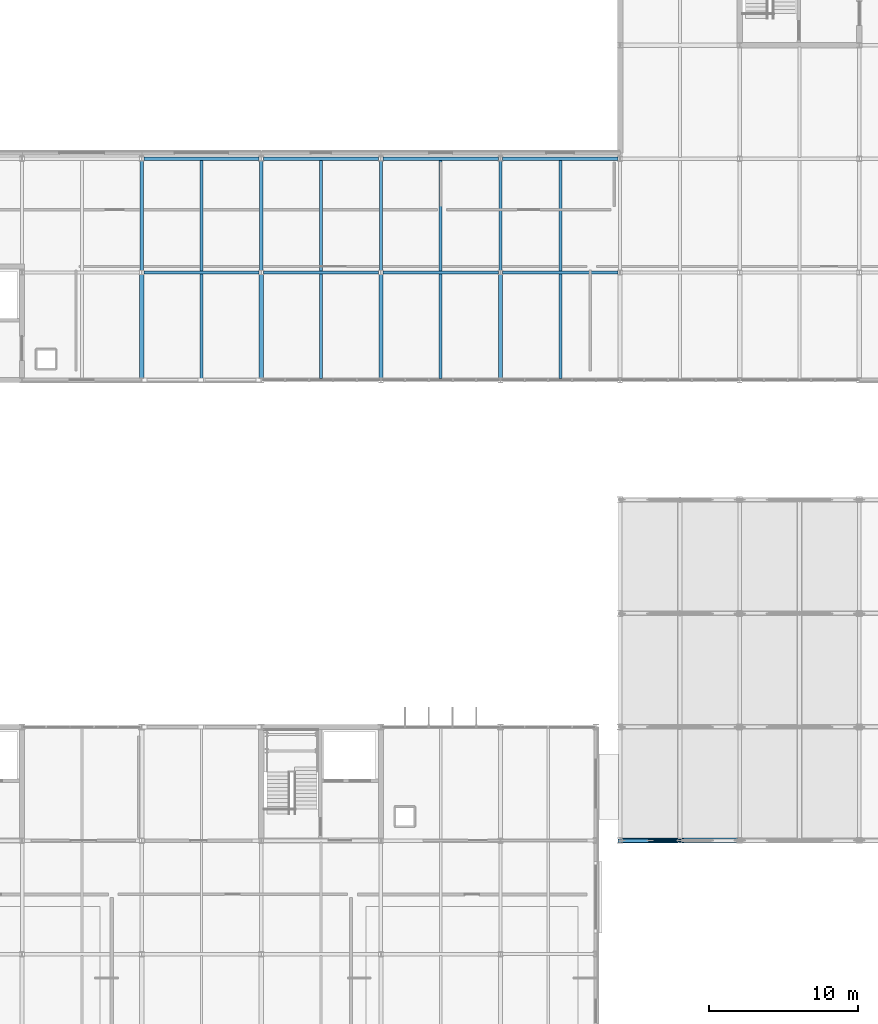
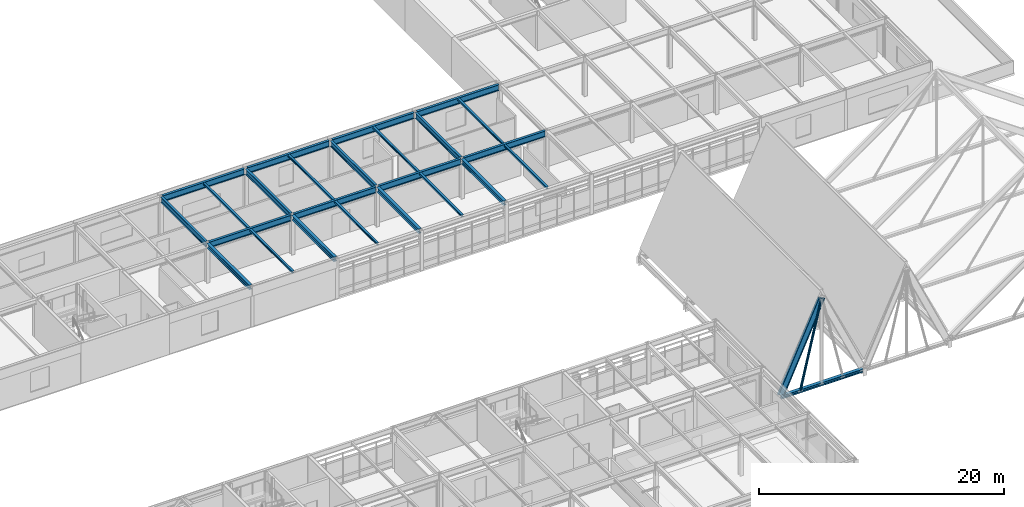
# One storey, part 35 of 85: 25 beams, 2 members.
"""IFC4 building model written with IfcOpenShell, lengths in metres."""

from ifc_helpers import new_model, si_unit, direction, frame, origin, origin_2d, place, context, subcontext, project, spatial, hollow_circle, i_section, extrude, material, material_profile, profile_set, type_object, element, save


model = new_model("IFC4")

# Units and contexts
model_context = context("Model", 3, precision=1e-05, world=origin(), true_north=direction((0.0, 1.0)))
body_context = subcontext(model_context, "Body", "Model", "MODEL_VIEW")
ifc_project = project(units=[si_unit("LENGTHUNIT", "METRE"), si_unit("AREAUNIT", "SQUARE_METRE"), si_unit("VOLUMEUNIT", "CUBIC_METRE"), si_unit("PLANEANGLEUNIT", "RADIAN"), si_unit("MASSUNIT", "GRAM", prefix="KILO")], contexts=[model_context])

# Site, building, storey
site_placement = place(None, origin())
site = spatial("IfcSite", under=ifc_project, at=site_placement, CompositionType="ELEMENT")
building_placement = place(site_placement, origin())
building = spatial("IfcBuilding", under=site, at=building_placement, Name="Zulena Civic Courthouse", CompositionType="ELEMENT")
storey_placement = place(building_placement, frame((0.0, 0.0, 25.199951171875)))
storey = spatial("IfcBuildingStorey", under=building, at=storey_placement, Name="L05", CompositionType="ELEMENT", Elevation=25.199951171875)

# Member
ifc_material_1 = material(Name="Steel ASTM A992 Grade 50", Category="steel")
ifc_material_profile_1 = material_profile(ifc_material_1, i_section(OverallWidth=0.30908203125, OverallDepth=0.322998046875, WebThickness=0.013916015625, FlangeThickness=0.02294921875, FilletRadius=0.01513671875, at=origin_2d()), Name="W12X96")
ifc_profile_set_1 = profile_set([ifc_material_profile_1], Name="Steel ASTM A992 Grade 50")
member_type_1 = type_object("IfcMemberType", Name="Chord_W12X96", PredefinedType="CHORD", material=ifc_profile_set_1)
member_1_placement = place(storey_placement, frame((68.139892578125, 15.199951171875, 0.343017578125), z_axis=(1.0, 0.0, 0.0), x_axis=(0.0, 1.0, 0.0)))
element("IfcMember", 1, at=member_1_placement, inside=storey, type_object=member_type_1, Name="mem:fold:tie:01:15.2", PredefinedType="CHORD", context=body_context, shape_type="SweptSolid", body=[
    extrude(i_section(OverallWidth=0.30908203125, OverallDepth=0.322998046875, WebThickness=0.013916015625, FlangeThickness=0.02294921875, FilletRadius=0.01513671875, at=origin_2d()), origin(), (0.0, 0.0, 1.0), 7.72021484375),
])

# Beams
ifc_material_profile_2 = material_profile(ifc_material_1, i_section(OverallWidth=0.214111328125, OverallDepth=0.549072265625, WebThickness=0.0146484375, FlangeThickness=0.023681640625, FilletRadius=0.0126953125, at=origin_2d()), Name="W21X93")
ifc_profile_set_2 = profile_set([ifc_material_profile_2], Name="Steel ASTM A992 Grade 50")
beam_type_1 = type_object("IfcBeamType", Name="Girder_W21X93", PredefinedType="BEAM", material=ifc_profile_set_2)
for number, where, z_axis, x_axis, name in (
    (2, (36.0, 53.344970703125, 3.720458984375), (0.0, 1.0, 0.0), (-1.0, 0.0, 0.0), "beam:Y:V5:L05:36.0:53.2_60.8"),
    (3, (44.0, 53.344970703125, 3.720458984375), (0.0, 1.0, 0.0), (-1.0, 0.0, 0.0), "beam:Y:V5:L05:44.0:53.2_60.8"),
    (4, (52.0, 53.344970703125, 3.720458984375), (0.0, 1.0, 0.0), (-1.0, 0.0, 0.0), "beam:Y:V5:L05:52.0:53.2_60.8"),
    (5, (60.0, 53.344970703125, 3.720458984375), (0.0, 1.0, 0.0), (-1.0, 0.0, 0.0), "beam:Y:V5:L05:60.0:53.2_60.8"),
):
    element("IfcBeam", number, at=place(storey_placement, frame(where, z_axis=z_axis, x_axis=x_axis)), inside=storey, type_object=beam_type_1, Name=name, PredefinedType="BEAM", context=body_context, shape_type="SweptSolid", body=[
        extrude(i_section(OverallWidth=0.214111328125, OverallDepth=0.549072265625, WebThickness=0.0146484375, FlangeThickness=0.023681640625, FilletRadius=0.0126953125, at=origin_2d()), origin(), (0.0, 0.0, 1.0), 7.31005859375),
    ])
ifc_material_profile_3 = material_profile(ifc_material_1, i_section(OverallWidth=0.22802734375, OverallDepth=0.60693359375, WebThickness=0.01123046875, FlangeThickness=0.017333984375, FilletRadius=0.0126953125, at=origin_2d()), Name="W24X76")
ifc_profile_set_3 = profile_set([ifc_material_profile_3], Name="Steel ASTM A992 Grade 50")
beam_type_2 = type_object("IfcBeamType", Name="Girder_W24X76", PredefinedType="BEAM", material=ifc_profile_set_3)
for number, where, z_axis, x_axis, name in (
    (6, (36.14501953125, 53.199951171875, 3.691650390625), (1.0, 0.0, 0.0), (0.0, 1.0, 0.0), "beam:X:V5:L05:53.2:36.0_44.0"),
    (7, (44.14501953125, 53.199951171875, 3.691650390625), (1.0, 0.0, 0.0), (0.0, 1.0, 0.0), "beam:X:V5:L05:53.2:44.0_52.0"),
    (8, (52.14501953125, 53.199951171875, 3.691650390625), (1.0, 0.0, 0.0), (0.0, 1.0, 0.0), "beam:X:V5:L05:53.2:52.0_60.0"),
    (9, (60.14501953125, 53.199951171875, 3.691650390625), (1.0, 0.0, 0.0), (0.0, 1.0, 0.0), "beam:X:V5:L05:53.2:60.0_68.0"),
    (10, (36.14501953125, 60.800048828125, 3.691650390625), (1.0, 0.0, 0.0), (0.0, 1.0, 0.0), "beam:X:V5:L05:60.8:36.0_44.0"),
    (11, (44.14501953125, 60.800048828125, 3.691650390625), (1.0, 0.0, 0.0), (0.0, 1.0, 0.0), "beam:X:V5:L05:60.8:44.0_52.0"),
    (12, (52.14501953125, 60.800048828125, 3.691650390625), (1.0, 0.0, 0.0), (0.0, 1.0, 0.0), "beam:X:V5:L05:60.8:52.0_60.0"),
    (13, (60.14501953125, 60.800048828125, 3.691650390625), (1.0, 0.0, 0.0), (0.0, 1.0, 0.0), "beam:X:V5:L05:60.8:60.0_68.0"),
):
    element("IfcBeam", number, at=place(storey_placement, frame(where, z_axis=z_axis, x_axis=x_axis)), inside=storey, type_object=beam_type_2, Name=name, PredefinedType="BEAM", context=body_context, shape_type="SweptSolid", body=[
        extrude(i_section(OverallWidth=0.22802734375, OverallDepth=0.60693359375, WebThickness=0.01123046875, FlangeThickness=0.017333984375, FilletRadius=0.0126953125, at=origin_2d()), origin(), (0.0, 0.0, 1.0), 7.7099609375),
    ])
ifc_material_profile_4 = material_profile(ifc_material_1, i_section(OverallWidth=0.202880859375, OverallDepth=0.202880859375, WebThickness=0.007080078125, FlangeThickness=0.010986328125, FilletRadius=0.007568359375, at=origin_2d()), Name="W8X31")
ifc_profile_set_4 = profile_set([ifc_material_profile_4], Name="Steel ASTM A992 Grade 50")
beam_type_3 = type_object("IfcBeamType", Name="Joist_W8X31", PredefinedType="JOIST", material=ifc_profile_set_4)
beam_1_placement = place(storey_placement, frame((40.0, 46.10498046875, 3.8935546875), z_axis=(0.0, 1.0, 0.0), x_axis=(-1.0, 0.0, 0.0)))
element("IfcBeam", 14, at=beam_1_placement, inside=storey, type_object=beam_type_3, Name="joist:V5:L05:40.00:46.0_53.2", PredefinedType="JOIST", context=body_context, shape_type="SweptSolid", body=[
    extrude(i_section(OverallWidth=0.202880859375, OverallDepth=0.202880859375, WebThickness=0.007080078125, FlangeThickness=0.010986328125, FilletRadius=0.007568359375, at=origin_2d()), origin(), (0.0, 0.0, 1.0), 6.989990234375),
])
beam_2_placement = place(storey_placement, frame((40.0, 53.304931640625, 3.8935546875), z_axis=(0.0, 1.0, 0.0), x_axis=(-1.0, 0.0, 0.0)))
element("IfcBeam", 15, at=beam_2_placement, inside=storey, type_object=beam_type_3, Name="joist:V5:L05:40.00:53.2_60.8", PredefinedType="JOIST", context=body_context, shape_type="SweptSolid", body=[
    extrude(i_section(OverallWidth=0.202880859375, OverallDepth=0.202880859375, WebThickness=0.007080078125, FlangeThickness=0.010986328125, FilletRadius=0.007568359375, at=origin_2d()), origin(), (0.0, 0.0, 1.0), 7.39013671875),
])
beam_3_placement = place(storey_placement, frame((48.0, 46.10498046875, 3.8935546875), z_axis=(0.0, 1.0, 0.0), x_axis=(-1.0, 0.0, 0.0)))
element("IfcBeam", 16, at=beam_3_placement, inside=storey, type_object=beam_type_3, Name="joist:V5:L05:48.00:46.0_53.2", PredefinedType="JOIST", context=body_context, shape_type="SweptSolid", body=[
    extrude(i_section(OverallWidth=0.202880859375, OverallDepth=0.202880859375, WebThickness=0.007080078125, FlangeThickness=0.010986328125, FilletRadius=0.007568359375, at=origin_2d()), origin(), (0.0, 0.0, 1.0), 6.989990234375),
])
beam_4_placement = place(storey_placement, frame((48.0, 53.304931640625, 3.8935546875), z_axis=(0.0, 1.0, 0.0), x_axis=(-1.0, 0.0, 0.0)))
element("IfcBeam", 17, at=beam_4_placement, inside=storey, type_object=beam_type_3, Name="joist:V5:L05:48.00:53.2_60.8", PredefinedType="JOIST", context=body_context, shape_type="SweptSolid", body=[
    extrude(i_section(OverallWidth=0.202880859375, OverallDepth=0.202880859375, WebThickness=0.007080078125, FlangeThickness=0.010986328125, FilletRadius=0.007568359375, at=origin_2d()), origin(), (0.0, 0.0, 1.0), 7.39013671875),
])
beam_5_placement = place(storey_placement, frame((56.0, 46.10498046875, 3.8935546875), z_axis=(0.0, 1.0, 0.0), x_axis=(-1.0, 0.0, 0.0)))
element("IfcBeam", 18, at=beam_5_placement, inside=storey, type_object=beam_type_3, Name="joist:V5:L05:56.00:46.0_53.2", PredefinedType="JOIST", context=body_context, shape_type="SweptSolid", body=[
    extrude(i_section(OverallWidth=0.202880859375, OverallDepth=0.202880859375, WebThickness=0.007080078125, FlangeThickness=0.010986328125, FilletRadius=0.007568359375, at=origin_2d()), origin(), (0.0, 0.0, 1.0), 6.989990234375),
])
beam_6_placement = place(storey_placement, frame((56.0, 53.304931640625, 3.8935546875), z_axis=(0.0, 1.0, 0.0), x_axis=(-1.0, 0.0, 0.0)))
element("IfcBeam", 19, at=beam_6_placement, inside=storey, type_object=beam_type_3, Name="joist:V5:L05:56.00:53.2_60.8", PredefinedType="JOIST", context=body_context, shape_type="SweptSolid", body=[
    extrude(i_section(OverallWidth=0.202880859375, OverallDepth=0.202880859375, WebThickness=0.007080078125, FlangeThickness=0.010986328125, FilletRadius=0.007568359375, at=origin_2d()), origin(), (0.0, 0.0, 1.0), 7.39013671875),
])
beam_7_placement = place(storey_placement, frame((64.0, 46.10498046875, 3.8935546875), z_axis=(0.0, 1.0, 0.0), x_axis=(-1.0, 0.0, 0.0)))
element("IfcBeam", 20, at=beam_7_placement, inside=storey, type_object=beam_type_3, Name="joist:V5:L05:64.00:46.0_53.2", PredefinedType="JOIST", context=body_context, shape_type="SweptSolid", body=[
    extrude(i_section(OverallWidth=0.202880859375, OverallDepth=0.202880859375, WebThickness=0.007080078125, FlangeThickness=0.010986328125, FilletRadius=0.007568359375, at=origin_2d()), origin(), (0.0, 0.0, 1.0), 6.989990234375),
])
beam_8_placement = place(storey_placement, frame((64.0, 53.304931640625, 3.8935546875), z_axis=(0.0, 1.0, 0.0), x_axis=(-1.0, 0.0, 0.0)))
element("IfcBeam", 21, at=beam_8_placement, inside=storey, type_object=beam_type_3, Name="joist:V5:L05:64.00:53.2_60.8", PredefinedType="JOIST", context=body_context, shape_type="SweptSolid", body=[
    extrude(i_section(OverallWidth=0.202880859375, OverallDepth=0.202880859375, WebThickness=0.007080078125, FlangeThickness=0.010986328125, FilletRadius=0.007568359375, at=origin_2d()), origin(), (0.0, 0.0, 1.0), 7.39013671875),
])
ifc_material_profile_5 = material_profile(ifc_material_1, i_section(OverallWidth=0.22802734375, OverallDepth=0.60693359375, WebThickness=0.01123046875, FlangeThickness=0.017333984375, FilletRadius=0.0126953125, at=origin_2d()), Name="W24X76")
ifc_profile_set_5 = profile_set([ifc_material_profile_5], Name="Steel ASTM A992 Grade 50")
beam_type_4 = type_object("IfcBeamType", Name="RoofRafter_W24X76", PredefinedType="BEAM", material=ifc_profile_set_5)
beam_9_placement = place(storey_placement, frame((68.139892578125, 15.199951171875, 0.5029296875), z_axis=(0.416657439766, 0.0, 0.909063571973), x_axis=(0.0, 1.0, 0.0)))
element("IfcBeam", 22, at=beam_9_placement, inside=storey, type_object=beam_type_4, Name="beam:fold:rafW:01:15.2", PredefinedType="BEAM", context=body_context, shape_type="SweptSolid", body=[
    extrude(i_section(OverallWidth=0.22802734375, OverallDepth=0.60693359375, WebThickness=0.01123046875, FlangeThickness=0.017333984375, FilletRadius=0.0126953125, at=origin_2d()), origin(), (0.0, 0.0, 1.0), 9.240478515625),
])

# Member
ifc_material_2 = material(Name="Steel ASTM A500 Grade C", Category="steel")
ifc_material_profile_6 = material_profile(ifc_material_2, hollow_circle(Radius=0.109619140625, WallThickness=0.0087890625, at=origin_2d()), Name="HSS8.625X0.375")
ifc_profile_set_6 = profile_set([ifc_material_profile_6], Name="Steel ASTM A500 Grade C")
member_type_2 = type_object("IfcMemberType", Name="RoofWeb_CHS8", PredefinedType="USERDEFINED", material=ifc_profile_set_6)
member_2_placement = place(storey_placement, frame((70.0, 15.199951171875, 0.343017578125), z_axis=(0.227515822053, 0.0, 0.973774383888), x_axis=(0.0, 1.0, 0.0)))
element("IfcMember", 23, at=member_2_placement, inside=storey, type_object=member_type_2, Name="mem:fold:diagW:01:15.2", ObjectType="ROOF TRUSS", PredefinedType="USERDEFINED", context=body_context, shape_type="SweptSolid", body=[
    extrude(hollow_circle(Radius=0.109619140625, WallThickness=0.0087890625, at=origin_2d()), origin(), (0.0, 0.0, 1.0), 8.79052734375),
])

# Beams
ifc_material_profile_7 = material_profile(ifc_material_1, i_section(OverallWidth=0.280029296875, OverallDepth=0.462890625, WebThickness=0.0107421875, FlangeThickness=0.017333984375, FilletRadius=0.01025390625, at=origin_2d()), Name="W18X76")
ifc_profile_set_7 = profile_set([ifc_material_profile_7], Name="Steel ASTM A992 Grade 50")
beam_type_5 = type_object("IfcBeamType", Name="Spandrel_W18X76", PredefinedType="SPANDREL", material=ifc_profile_set_7)
for number, where, z_axis, x_axis, name in (
    (24, (36.0, 46.14501953125, 3.763427734375), (0.0, 1.0, 0.0), (-1.0, 0.0, 0.0), "beam:Y:V5:L05:36.0:46.0_53.2"),
    (25, (44.0, 46.14501953125, 3.763427734375), (0.0, 1.0, 0.0), (-1.0, 0.0, 0.0), "beam:Y:V5:L05:44.0:46.0_53.2"),
    (26, (52.0, 46.14501953125, 3.763427734375), (0.0, 1.0, 0.0), (-1.0, 0.0, 0.0), "beam:Y:V5:L05:52.0:46.0_53.2"),
    (27, (60.0, 46.14501953125, 3.763427734375), (0.0, 1.0, 0.0), (-1.0, 0.0, 0.0), "beam:Y:V5:L05:60.0:46.0_53.2"),
):
    element("IfcBeam", number, at=place(storey_placement, frame(where, z_axis=z_axis, x_axis=x_axis)), inside=storey, type_object=beam_type_5, Name=name, PredefinedType="SPANDREL", context=body_context, shape_type="SweptSolid", body=[
        extrude(i_section(OverallWidth=0.280029296875, OverallDepth=0.462890625, WebThickness=0.0107421875, FlangeThickness=0.017333984375, FilletRadius=0.01025390625, at=origin_2d()), origin(), (0.0, 0.0, 1.0), 6.909912109375),
    ])

save(model, "model.ifc")
